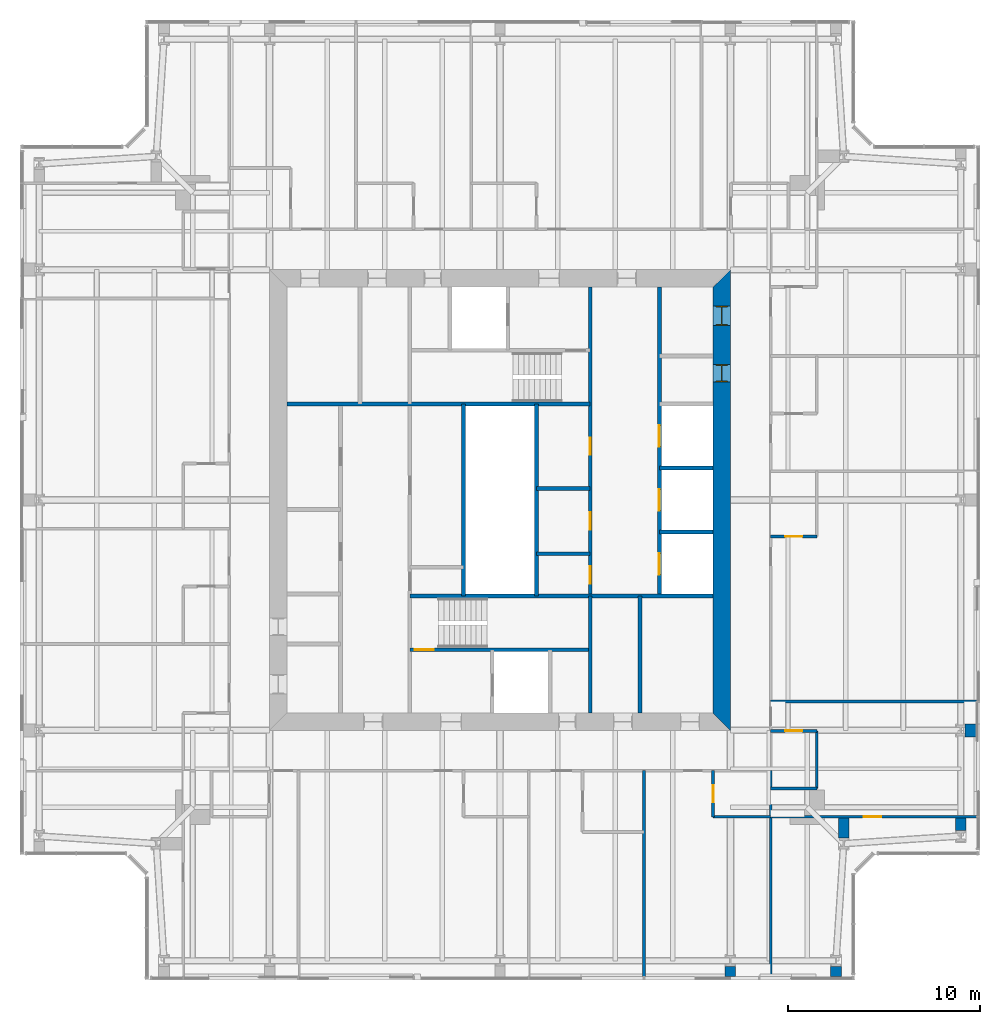
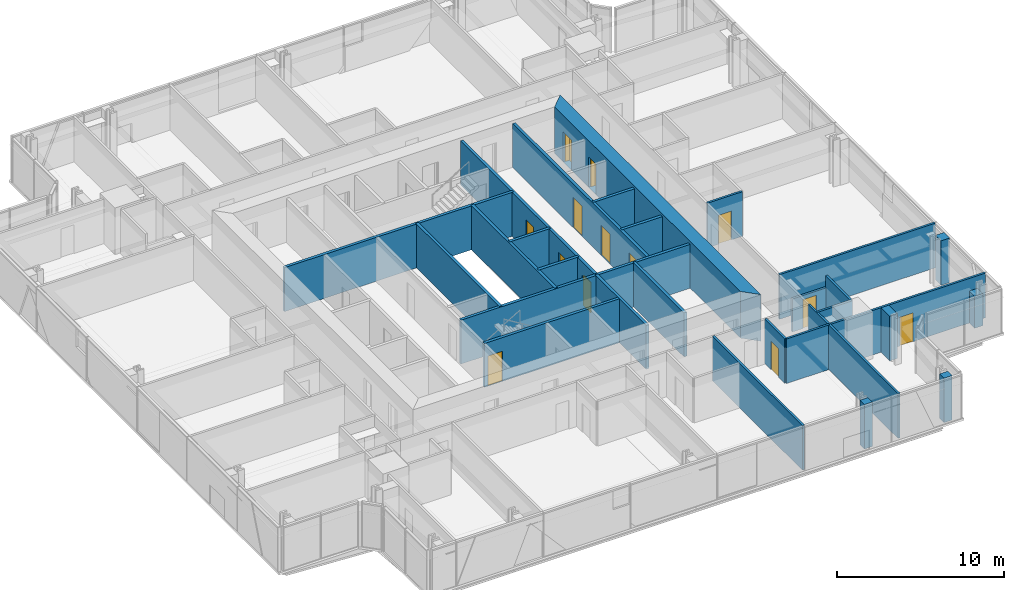
# One storey, part 13 of 18: 29 walls, 13 doors, 13 openings.
"""IFC4 building model written with IfcOpenShell, lengths in metres."""

from ifc_helpers import new_model, si_unit, direction, frame, frame_2d, origin, place, context, subcontext, project, spatial, polyline, rectangle, outline, extrude, material, layer, layer_set, type_object, element, fill, save


model = new_model("IFC4")

# Units and contexts
model_context = context("Model", 3, precision=1e-05, world=origin(), true_north=direction((0.0, 1.0)))
body_context = subcontext(model_context, "Body", "Model", "MODEL_VIEW")
ifc_project = project(units=[si_unit("LENGTHUNIT", "METRE"), si_unit("AREAUNIT", "SQUARE_METRE"), si_unit("VOLUMEUNIT", "CUBIC_METRE"), si_unit("PLANEANGLEUNIT", "RADIAN"), si_unit("MASSUNIT", "GRAM", prefix="KILO")], contexts=[model_context])

# Site, building, storey
site_placement = place(None, origin())
site = spatial("IfcSite", under=ifc_project, at=site_placement, CompositionType="ELEMENT")
building_placement = place(site_placement, origin())
building = spatial("IfcBuilding", under=site, at=building_placement, Name="Fenwick Lantern Interchange", CompositionType="ELEMENT")
storey_placement = place(building_placement, frame((0.0, 0.0, 262.800048828125)))
storey = spatial("IfcBuildingStorey", under=building, at=storey_placement, Name="L62", CompositionType="ELEMENT", Elevation=262.800048828125)

# Walls
ifc_material_1 = material(Name="Fire-rated gypsum board encasement on steel studs, 2 hour", Category="steel")
ifc_layer_1 = layer(ifc_material_1, 0.554931640625)
ifc_layer_set_1 = layer_set([ifc_layer_1], Name="COLUMN PIER 555")
wall_type_1 = type_object("IfcWallType", Name="COLUMN PIER 555", PredefinedType="PARTITIONING", material=ifc_layer_set_1)
for number, where, z_axis, x_axis, name in (
    (1, (37.0, 0.18994140625, 0.0), (0.0, 0.0, 1.0), (0.0, 1.0, 0.0), "L62/W/PIER/CS4"),
    (2, (42.5, 0.18994140625, 0.0), (0.0, 0.0, 1.0), (0.0, 1.0, 0.0), "L62/W/PIER/CS5"),
):
    element("IfcWall", number, at=place(storey_placement, frame(where, z_axis=z_axis, x_axis=x_axis)), inside=storey, type_object=wall_type_1, Name=name, PredefinedType="PARTITIONING", context=body_context, shape_type="SweptSolid", body=[
        extrude(rectangle(XDim=0.525634765625, YDim=0.554931640625, at=frame_2d((0.2626953125, 0.0))), origin(), (0.0, 0.0, 1.0), 3.25),
    ])
wall_1_placement = place(storey_placement, frame((42.89990234375, 8.425048828125, 0.0), z_axis=(0.0, 0.0, 1.0), x_axis=(0.0, -1.0, 0.0)))
element("IfcWall", 3, at=wall_1_placement, inside=storey, type_object=wall_type_1, Name="L62/W/PIER/CSR", PredefinedType="PARTITIONING", context=body_context, shape_type="SweptSolid", body=[
    extrude(rectangle(XDim=1.04052734375, YDim=0.554931640625, at=frame_2d((0.520263671875, 0.0))), origin(), (0.0, 0.0, 1.0), 3.25),
])
wall_2_placement = place(storey_placement, frame((49.0, 8.425048828125, 0.0), z_axis=(0.0, 0.0, 1.0), x_axis=(0.0, -1.0, 0.0)))
element("IfcWall", 4, at=wall_2_placement, inside=storey, type_object=wall_type_1, Name="L62/W/PIER/CE1", PredefinedType="PARTITIONING", context=body_context, shape_type="SweptSolid", body=[
    extrude(rectangle(XDim=0.640625, YDim=0.554931640625, at=frame_2d((0.3203125, 0.0))), origin(), (0.0, 0.0, 1.0), 2.338134765625),
])
ifc_layer_2 = layer(ifc_material_1, 0.6689453125)
ifc_layer_set_2 = layer_set([ifc_layer_2], Name="COLUMN PIER 669")
wall_type_2 = type_object("IfcWallType", Name="COLUMN PIER 669", PredefinedType="PARTITIONING", material=ifc_layer_set_2)
wall_3_placement = place(storey_placement, frame((49.81005859375, 13.0, 0.0), z_axis=(0.0, 0.0, 1.0), x_axis=(-1.0, 0.0, 0.0)))
element("IfcWall", 5, at=wall_3_placement, inside=storey, type_object=wall_type_2, Name="L62/W/PIER/CE2", PredefinedType="PARTITIONING", context=body_context, shape_type="SweptSolid", body=[
    extrude(rectangle(XDim=0.582763671875, YDim=0.6689453125, at=frame_2d((0.29150390625, 0.0))), origin(), (0.0, 0.0, 1.0), 3.25),
])
ifc_material_2 = material(Name="Concrete masonry ASTM C90 Grade N", Category="masonry")
ifc_layer_3 = layer(ifc_material_2, 0.199951171875)
ifc_layer_set_3 = layer_set([ifc_layer_3], Name="Concrete masonry ASTM C90 Grade N")
wall_type_3 = type_object("IfcWallType", Name="CORE PARTITION 200", PredefinedType="PARTITIONING", material=ifc_layer_set_3)
wall_4_placement = place(storey_placement, frame((23.10009765625, 20.0, 0.0), z_axis=(0.0, 0.0, 1.0), x_axis=(0.0, 1.0, 0.0)))
element("IfcWall", 6, at=wall_4_placement, inside=storey, type_object=wall_type_3, Name="L62/W/CORES/e3", PredefinedType="PARTITIONING", context=body_context, shape_type="SweptSolid", body=[
    extrude(rectangle(XDim=10.0, YDim=0.199951171875, at=frame_2d((5.0, 0.0))), origin(), (0.0, 0.0, 1.0), 3.199951171875),
])
wall_5_placement = place(storey_placement, frame((32.300048828125, 13.89990234375, 0.0), z_axis=(0.0, 0.0, 1.0), x_axis=(0.0, 1.0, 0.0)))
element("IfcWall", 7, at=wall_5_placement, inside=storey, type_object=wall_type_3, Name="L62/W/CORES/i2", PredefinedType="PARTITIONING", context=body_context, shape_type="SweptSolid", body=[
    extrude(rectangle(XDim=6.10009765625, YDim=0.199951171875, at=frame_2d((3.050048828125, 0.0))), origin(), (0.0, 0.0, 1.0), 3.199951171875),
])

# Wall, openings, doors
wall_6_placement = place(storey_placement, frame((33.300048828125, 36.10009765625, 0.0), z_axis=(0.0, 0.0, 1.0), x_axis=(0.0, -1.0, 0.0)))
wall_6 = element("IfcWall", 8, at=wall_6_placement, inside=storey, type_object=wall_type_3, Name="L62/W/COREN/a", PredefinedType="PARTITIONING", context=body_context, shape_type="SweptSolid", body=[
    extrude(rectangle(XDim=16.10009765625, YDim=0.199951171875, at=frame_2d((8.050048828125, 0.0))), origin(), (0.0, 0.0, 1.0), 3.199951171875),
])
opening_1_placement = place(wall_6_placement, frame((7.216552734375, 0.0, 0.0)))
opening_1 = element("IfcOpeningElement", 9, at=opening_1_placement, cuts=wall_6, Name="Opening LD-E1-1", PredefinedType="OPENING", context=body_context, shape_type="SweptSolid", body=[
    extrude(rectangle(XDim=1.10009765625, YDim=2.199951171875, at=frame_2d((0.550048828125, 1.10009765625))), frame((0.0, 0.10986328125, 0.0), z_axis=(0.0, -1.0, 0.0), x_axis=(1.0, 0.0, 0.0)), (0.0, 0.0, 1.0), 0.219970703125),
])
opening_2_placement = place(wall_6_placement, frame((10.550048828125, 0.0, 0.0)))
opening_2 = element("IfcOpeningElement", 10, at=opening_2_placement, cuts=wall_6, Name="Opening LD-E1-2", PredefinedType="OPENING", context=body_context, shape_type="SweptSolid", body=[
    extrude(rectangle(XDim=1.10009765625, YDim=2.199951171875, at=frame_2d((0.550048828125, 1.10009765625))), frame((0.0, 0.10986328125, 0.0), z_axis=(0.0, -1.0, 0.0), x_axis=(1.0, 0.0, 0.0)), (0.0, 0.0, 1.0), 0.219970703125),
])
opening_3_placement = place(wall_6_placement, frame((13.88330078125, 0.0, 0.0)))
opening_3 = element("IfcOpeningElement", 11, at=opening_3_placement, cuts=wall_6, Name="Opening LD-E1-3", PredefinedType="OPENING", context=body_context, shape_type="SweptSolid", body=[
    extrude(rectangle(XDim=1.10009765625, YDim=2.199951171875, at=frame_2d((0.550048828125, 1.10009765625))), frame((0.0, 0.10986328125, 0.0), z_axis=(0.0, -1.0, 0.0), x_axis=(1.0, 0.0, 0.0)), (0.0, 0.0, 1.0), 0.219970703125),
])
ifc_material_3 = material(Name="Steel door and frame", Category="steel")
door_type_1 = type_object("IfcDoorType", Name="LIFT LANDING DOOR 1100 X 2200", OperationType="DOUBLE_DOOR_SLIDING", PredefinedType="DOOR", material=ifc_material_3)
door_1_placement = place(opening_1_placement, origin())
door_1 = element("IfcDoor", 12, at=door_1_placement, inside=storey, type_object=door_type_1, Name="Lift landing door E1-1", OperationType="DOUBLE_DOOR_SLIDING", OverallHeight=2.199951171875, OverallWidth=1.10009765625, PredefinedType="DOOR", context=body_context, shape_type="SweptSolid", body=[
    extrude(rectangle(XDim=1.10009765625, YDim=2.199951171875, at=frame_2d((0.550048828125, 1.10009765625))), frame((0.0, 0.02490234375, 0.0), z_axis=(0.0, -1.0, 0.0), x_axis=(1.0, 0.0, 0.0)), (0.0, 0.0, 1.0), 0.050048828125),
])
fill(opening_1, door_1)
door_2_placement = place(opening_2_placement, origin())
door_2 = element("IfcDoor", 13, at=door_2_placement, inside=storey, type_object=door_type_1, Name="Lift landing door E1-2", OperationType="DOUBLE_DOOR_SLIDING", OverallHeight=2.199951171875, OverallWidth=1.10009765625, PredefinedType="DOOR", context=body_context, shape_type="SweptSolid", body=[
    extrude(rectangle(XDim=1.10009765625, YDim=2.199951171875, at=frame_2d((0.550048828125, 1.10009765625))), frame((0.0, 0.02490234375, 0.0), z_axis=(0.0, -1.0, 0.0), x_axis=(1.0, 0.0, 0.0)), (0.0, 0.0, 1.0), 0.050048828125),
])
fill(opening_2, door_2)
door_3_placement = place(opening_3_placement, origin())
door_3 = element("IfcDoor", 14, at=door_3_placement, inside=storey, type_object=door_type_1, Name="Lift landing door E1-3", OperationType="DOUBLE_DOOR_SLIDING", OverallHeight=2.199951171875, OverallWidth=1.10009765625, PredefinedType="DOOR", context=body_context, shape_type="SweptSolid", body=[
    extrude(rectangle(XDim=1.10009765625, YDim=2.199951171875, at=frame_2d((0.550048828125, 1.10009765625))), frame((0.0, 0.02490234375, 0.0), z_axis=(0.0, -1.0, 0.0), x_axis=(1.0, 0.0, 0.0)), (0.0, 0.0, 1.0), 0.050048828125),
])
fill(opening_3, door_3)

# Walls
for number, where, z_axis, x_axis, name in (
    (15, (36.10009765625, 26.666748046875, 0.0), (0.0, 0.0, 1.0), (-1.0, 0.0, 0.0), "L62/W/COREN/d1"),
    (16, (36.10009765625, 23.333251953125, 0.0), (0.0, 0.0, 1.0), (-1.0, 0.0, 0.0), "L62/W/COREN/d2"),
):
    element("IfcWall", number, at=place(storey_placement, frame(where, z_axis=z_axis, x_axis=x_axis)), inside=storey, type_object=wall_type_3, Name=name, PredefinedType="PARTITIONING", context=body_context, shape_type="SweptSolid", body=[
        extrude(rectangle(XDim=2.800048828125, YDim=0.199951171875, at=frame_2d((1.39990234375, 0.0))), origin(), (0.0, 0.0, 1.0), 3.199951171875),
    ])
wall_7_placement = place(storey_placement, frame((26.89990234375, 30.0, 0.0), z_axis=(0.0, 0.0, 1.0), x_axis=(0.0, -1.0, 0.0)))
element("IfcWall", 17, at=wall_7_placement, inside=storey, type_object=wall_type_3, Name="L62/W/COREN/e3", PredefinedType="PARTITIONING", context=body_context, shape_type="SweptSolid", body=[
    extrude(rectangle(XDim=10.0, YDim=0.199951171875, at=frame_2d((5.0, 0.0))), origin(), (0.0, 0.0, 1.0), 3.199951171875),
])
for number, where, z_axis, x_axis, name in (
    (18, (29.699951171875, 25.60009765625, 0.0), (0.0, 0.0, 1.0), (-1.0, 0.0, 0.0), "L62/W/COREN/q1"),
    (19, (29.699951171875, 22.199951171875, 0.0), (0.0, 0.0, 1.0), (-1.0, 0.0, 0.0), "L62/W/COREN/q2"),
):
    element("IfcWall", number, at=place(storey_placement, frame(where, z_axis=z_axis, x_axis=x_axis)), inside=storey, type_object=wall_type_3, Name=name, PredefinedType="PARTITIONING", context=body_context, shape_type="SweptSolid", body=[
        extrude(rectangle(XDim=2.800048828125, YDim=0.199951171875, at=frame_2d((1.39990234375, 0.0))), origin(), (0.0, 0.0, 1.0), 3.199951171875),
    ])

# Wall, openings, doors
ifc_material_4 = material(Name="Concrete f'c 70 MPa", Category="concrete")
ifc_layer_4 = layer(ifc_material_4, 0.89990234375)
ifc_layer_set_4 = layer_set([ifc_layer_4], Name="CORE WALL 900")
wall_type_4 = type_object("IfcWallType", Name="CORE WALL 900", PredefinedType="SHEAR", material=ifc_layer_set_4)
wall_8_placement = place(storey_placement, frame((36.550048828125, 13.89990234375, 0.0), z_axis=(0.0, 0.0, 1.0), x_axis=(0.0, 1.0, 0.0)))
wall_8 = element("IfcWall", 20, at=wall_8_placement, inside=storey, type_object=wall_type_4, Name="L62/CORE/E", PredefinedType="SHEAR", context=body_context, shape_type="SweptSolid", body=[
    extrude(outline(polyline([(-0.89990234375, -0.449951171875), (23.10009765625, -0.449951171875), (22.199951171875, 0.449951171875), (0.0, 0.449951171875), (-0.89990234375, -0.449951171875)])), origin(), (0.0, 0.0, 1.0), 3.39990234375),
])
opening_4_placement = place(wall_8_placement, frame((20.199951171875, 0.0, 0.0)))
opening_4 = element("IfcOpeningElement", 21, at=opening_4_placement, cuts=wall_8, Name="Opening L62-D019", PredefinedType="OPENING", context=body_context, shape_type="SweptSolid", body=[
    extrude(rectangle(XDim=1.0, YDim=2.199951171875, at=frame_2d((0.5, 1.10009765625))), frame((0.0, 0.4599609375, 0.0), z_axis=(0.0, -1.0, 0.0), x_axis=(1.0, 0.0, 0.0)), (0.0, 0.0, 1.0), 0.919921875),
])
opening_5_placement = place(wall_8_placement, frame((17.25, 0.0, 0.0)))
opening_5 = element("IfcOpeningElement", 22, at=opening_5_placement, cuts=wall_8, Name="Opening L62-D020", PredefinedType="OPENING", context=body_context, shape_type="SweptSolid", body=[
    extrude(rectangle(XDim=0.89990234375, YDim=2.199951171875, at=frame_2d((0.449951171875, 1.10009765625))), frame((0.0, 0.4599609375, 0.0), z_axis=(0.0, -1.0, 0.0), x_axis=(1.0, 0.0, 0.0)), (0.0, 0.0, 1.0), 0.919921875),
])
door_type_2 = type_object("IfcDoorType", Name="SERVICE DOOR 900 X 2200", OperationType="SINGLE_SWING_LEFT", PredefinedType="DOOR", material=ifc_material_3)
door_4_placement = place(opening_5_placement, origin())
door_4 = element("IfcDoor", 23, at=door_4_placement, inside=storey, type_object=door_type_2, Name="Service door", OperationType="SINGLE_SWING_RIGHT", OverallHeight=2.199951171875, OverallWidth=0.89990234375, PredefinedType="DOOR", context=body_context, shape_type="SweptSolid", body=[
    extrude(rectangle(XDim=0.89990234375, YDim=2.199951171875, at=frame_2d((0.449951171875, 1.10009765625))), frame((0.0, 0.02490234375, 0.0), z_axis=(0.0, -1.0, 0.0), x_axis=(1.0, 0.0, 0.0)), (0.0, 0.0, 1.0), 0.050048828125),
    extrude(outline(polyline([(0.0, 0.0), (0.0400390625, 0.0), (0.0400390625, 2.159912109375), (0.85986328125, 2.159912109375), (0.85986328125, 0.0), (0.89990234375, 0.0), (0.89990234375, 2.199951171875), (0.0, 2.199951171875), (0.0, 0.0)])), frame((0.0, 0.300048828125, 0.0), z_axis=(0.0, -1.0, 0.0), x_axis=(1.0, 0.0, 0.0)), (0.0, 0.0, 1.0), 0.60009765625),
])
fill(opening_5, door_4)
ifc_material_5 = material(Name="Hardwood door and steel frame", Category="steel")
door_type_3 = type_object("IfcDoorType", Name="WC DOOR 1000 X 2200", OperationType="SINGLE_SWING_LEFT", PredefinedType="DOOR", material=ifc_material_5)
door_5_placement = place(opening_4_placement, origin())
door_5 = element("IfcDoor", 24, at=door_5_placement, inside=storey, type_object=door_type_3, Name="Wc door", OperationType="SINGLE_SWING_RIGHT", OverallHeight=2.199951171875, OverallWidth=1.0, PredefinedType="DOOR", context=body_context, shape_type="SweptSolid", body=[
    extrude(rectangle(XDim=1.0, YDim=2.199951171875, at=frame_2d((0.5, 1.10009765625))), frame((0.0, 0.02490234375, 0.0), z_axis=(0.0, -1.0, 0.0), x_axis=(1.0, 0.0, 0.0)), (0.0, 0.0, 1.0), 0.050048828125),
    extrude(outline(polyline([(0.0, 0.0), (0.0400390625, 0.0), (0.0400390625, 2.159912109375), (0.9599609375, 2.159912109375), (0.9599609375, 0.0), (1.0, 0.0), (1.0, 2.199951171875), (0.0, 2.199951171875), (0.0, 0.0)])), frame((0.0, 0.300048828125, 0.0), z_axis=(0.0, -1.0, 0.0), x_axis=(1.0, 0.0, 0.0)), (0.0, 0.0, 1.0), 0.60009765625),
])
fill(opening_4, door_5)

# Wall
ifc_material_6 = material(Name="Gypsum board on steel studs, moisture resistant", Category="steel")
ifc_layer_5 = layer(ifc_material_6, 0.14990234375)
ifc_layer_set_5 = layer_set([ifc_layer_5], Name="EN-SUITE WALL 150")
wall_type_5 = type_object("IfcWallType", Name="EN-SUITE WALL 150", PredefinedType="PARTITIONING", material=ifc_layer_set_5)
wall_9_placement = place(storey_placement, frame((36.10009765625, 8.5, 0.0), z_axis=(0.0, 0.0, 1.0), x_axis=(1.0, 0.0, 0.0)))
element("IfcWall", 25, at=wall_9_placement, inside=storey, type_object=wall_type_5, Name="L62/W/HOTEL/S/U4BW", PredefinedType="PARTITIONING", context=body_context, shape_type="SweptSolid", body=[
    extrude(rectangle(XDim=3.0, YDim=0.14990234375, at=frame_2d((1.5, 0.0))), origin(), (0.0, 0.0, 1.0), 3.25),
])

# Wall, opening, door
wall_10_placement = place(storey_placement, frame((36.10009765625, 8.5, 0.0), z_axis=(0.0, 0.0, 1.0), x_axis=(0.0, 1.0, 0.0)))
wall_10 = element("IfcWall", 26, at=wall_10_placement, inside=storey, type_object=wall_type_5, Name="L62/W/HOTEL/S/U4BX", PredefinedType="PARTITIONING", context=body_context, shape_type="SweptSolid", body=[
    extrude(rectangle(XDim=2.39990234375, YDim=0.14990234375, at=frame_2d((1.199951171875, 0.0))), origin(), (0.0, 0.0, 1.0), 3.25),
])
opening_6_placement = place(wall_10_placement, frame((0.75, 0.0, 0.0)))
opening_6 = element("IfcOpeningElement", 27, at=opening_6_placement, cuts=wall_10, Name="Opening L62-D031", PredefinedType="OPENING", context=body_context, shape_type="SweptSolid", body=[
    extrude(rectangle(XDim=0.89990234375, YDim=2.10009765625, at=frame_2d((0.449951171875, 1.050048828125))), frame((0.0, 0.0849609375, 0.0), z_axis=(0.0, -1.0, 0.0), x_axis=(1.0, 0.0, 0.0)), (0.0, 0.0, 1.0), 0.169921875),
])
door_type_4 = type_object("IfcDoorType", Name="EN-SUITE DOOR 900 X 2100", OperationType="SINGLE_SWING_LEFT", PredefinedType="DOOR", material=ifc_material_5)
door_6_placement = place(opening_6_placement, frame((0.89990234375, 0.0, 0.0), z_axis=(0.0, 0.0, 1.0), x_axis=(-1.0, 0.0, 0.0)))
door_6 = element("IfcDoor", 28, at=door_6_placement, inside=storey, type_object=door_type_4, Name="En-suite door", OperationType="SINGLE_SWING_RIGHT", OverallHeight=2.10009765625, OverallWidth=0.89990234375, PredefinedType="DOOR", context=body_context, shape_type="SweptSolid", body=[
    extrude(rectangle(XDim=0.89990234375, YDim=2.10009765625, at=frame_2d((0.449951171875, 1.050048828125))), frame((0.0, 0.02490234375, 0.0), z_axis=(0.0, -1.0, 0.0), x_axis=(1.0, 0.0, 0.0)), (0.0, 0.0, 1.0), 0.050048828125),
])
fill(opening_6, door_6)

# Wall
wall_11_placement = place(storey_placement, frame((41.5, 9.97509765625, 0.0), z_axis=(0.0, 0.0, 1.0), x_axis=(0.0, 1.0, 0.0)))
element("IfcWall", 29, at=wall_11_placement, inside=storey, type_object=wall_type_5, Name="L62/W/HOTEL/E/U1BW", PredefinedType="PARTITIONING", context=body_context, shape_type="SweptSolid", body=[
    extrude(rectangle(XDim=3.0, YDim=0.14990234375, at=frame_2d((1.5, 0.0))), origin(), (0.0, 0.0, 1.0), 3.25),
])

# Wall, opening, door
wall_12_placement = place(storey_placement, frame((41.5, 12.97509765625, 0.0), z_axis=(0.0, 0.0, 1.0), x_axis=(-1.0, 0.0, 0.0)))
wall_12 = element("IfcWall", 30, at=wall_12_placement, inside=storey, type_object=wall_type_5, Name="L62/W/HOTEL/E/U1BX", PredefinedType="PARTITIONING", context=body_context, shape_type="SweptSolid", body=[
    extrude(rectangle(XDim=2.39990234375, YDim=0.14990234375, at=frame_2d((1.199951171875, 0.0))), origin(), (0.0, 0.0, 1.0), 2.404052734375),
])
opening_7_placement = place(wall_12_placement, frame((0.75, 0.0, 0.0)))
opening_7 = element("IfcOpeningElement", 31, at=opening_7_placement, cuts=wall_12, Name="Opening L62-D033", PredefinedType="OPENING", context=body_context, shape_type="SweptSolid", body=[
    extrude(rectangle(XDim=0.89990234375, YDim=2.10009765625, at=frame_2d((0.449951171875, 1.050048828125))), frame((0.0, 0.0849609375, 0.0), z_axis=(0.0, -1.0, 0.0), x_axis=(1.0, 0.0, 0.0)), (0.0, 0.0, 1.0), 0.169921875),
])
door_7_placement = place(opening_7_placement, origin())
door_7 = element("IfcDoor", 32, at=door_7_placement, inside=storey, type_object=door_type_4, Name="En-suite door", OperationType="SINGLE_SWING_LEFT", OverallHeight=2.10009765625, OverallWidth=0.89990234375, PredefinedType="DOOR", context=body_context, shape_type="SweptSolid", body=[
    extrude(rectangle(XDim=0.89990234375, YDim=2.10009765625, at=frame_2d((0.449951171875, 1.050048828125))), frame((0.0, 0.02490234375, 0.0), z_axis=(0.0, -1.0, 0.0), x_axis=(1.0, 0.0, 0.0)), (0.0, 0.0, 1.0), 0.050048828125),
])
fill(opening_7, door_7)

# Wall
wall_13_placement = place(storey_placement, frame((41.5, 9.97509765625, 0.0), z_axis=(0.0, 0.0, 1.0), x_axis=(-1.0, 0.0, 0.0)))
element("IfcWall", 33, at=wall_13_placement, inside=storey, type_object=wall_type_5, Name="L62/W/HOTEL/E/U1BV", PredefinedType="PARTITIONING", context=body_context, shape_type="SweptSolid", body=[
    extrude(rectangle(XDim=2.39990234375, YDim=0.14990234375, at=frame_2d((1.199951171875, 0.0))), origin(), (0.0, 0.0, 1.0), 3.25),
])

# Wall, opening, door
wall_14_placement = place(storey_placement, frame((41.5, 23.10009765625, 0.0), z_axis=(0.0, 0.0, 1.0), x_axis=(-1.0, 0.0, 0.0)))
wall_14 = element("IfcWall", 34, at=wall_14_placement, inside=storey, type_object=wall_type_5, Name="L62/W/HOTEL/E/U2BX", PredefinedType="PARTITIONING", context=body_context, shape_type="SweptSolid", body=[
    extrude(rectangle(XDim=2.39990234375, YDim=0.14990234375, at=frame_2d((1.199951171875, 0.0))), origin(), (0.0, 0.0, 1.0), 3.25),
])
opening_8_placement = place(wall_14_placement, frame((0.75, 0.0, 0.0)))
opening_8 = element("IfcOpeningElement", 35, at=opening_8_placement, cuts=wall_14, Name="Opening L62-D036", PredefinedType="OPENING", context=body_context, shape_type="SweptSolid", body=[
    extrude(rectangle(XDim=0.89990234375, YDim=2.10009765625, at=frame_2d((0.449951171875, 1.050048828125))), frame((0.0, 0.0849609375, 0.0), z_axis=(0.0, -1.0, 0.0), x_axis=(1.0, 0.0, 0.0)), (0.0, 0.0, 1.0), 0.169921875),
])
door_8_placement = place(opening_8_placement, frame((0.89990234375, 0.0, 0.0), z_axis=(0.0, 0.0, 1.0), x_axis=(-1.0, 0.0, 0.0)))
door_8 = element("IfcDoor", 36, at=door_8_placement, inside=storey, type_object=door_type_4, Name="En-suite door", OperationType="SINGLE_SWING_RIGHT", OverallHeight=2.10009765625, OverallWidth=0.89990234375, PredefinedType="DOOR", context=body_context, shape_type="SweptSolid", body=[
    extrude(rectangle(XDim=0.89990234375, YDim=2.10009765625, at=frame_2d((0.449951171875, 1.050048828125))), frame((0.0, 0.02490234375, 0.0), z_axis=(0.0, -1.0, 0.0), x_axis=(1.0, 0.0, 0.0)), (0.0, 0.0, 1.0), 0.050048828125),
])
fill(opening_8, door_8)

# Walls
ifc_material_7 = material(Name="Gypsum board on steel studs, 1 hour acoustic", Category="steel")
ifc_layer_6 = layer(ifc_material_7, 0.14990234375)
ifc_layer_set_6 = layer_set([ifc_layer_6], Name="PARTY WALL 150")
wall_type_6 = type_object("IfcWallType", Name="PARTY WALL 150", PredefinedType="PARTITIONING", material=ifc_layer_set_6)
for number, where, z_axis, x_axis, name in (
    (37, (32.5, 0.14990234375, 0.0), (0.0, 0.0, 1.0), (0.0, 1.0, 0.0), "L62/W/HOTEL/S/U4PW"),
    (38, (39.10009765625, 0.14990234375, 0.0), (0.0, 0.0, 1.0), (0.0, 1.0, 0.0), "L62/W/HOTEL/E/SW3"),
    (39, (49.85009765625, 14.5, 0.0), (0.0, 0.0, 1.0), (-1.0, 0.0, 0.0), "L62/W/HOTEL/E/U2PW"),
):
    element("IfcWall", number, at=place(storey_placement, frame(where, z_axis=z_axis, x_axis=x_axis)), inside=storey, type_object=wall_type_6, Name=name, PredefinedType="PARTITIONING", context=body_context, shape_type="SweptSolid", body=[
        extrude(rectangle(XDim=10.75, YDim=0.14990234375, at=frame_2d((5.375, 0.0))), origin(), (0.0, 0.0, 1.0), 3.25),
    ])

# Wall, opening, door
ifc_material_8 = material(Name="Concrete f'c 45 MPa", Category="concrete")
ifc_layer_7 = layer(ifc_material_8, 0.199951171875)
ifc_layer_set_7 = layer_set([ifc_layer_7], Name="STAIR CORE WALL 200")
wall_type_7 = type_object("IfcWallType", Name="STAIR CORE WALL 200", PredefinedType="SOLIDWALL", material=ifc_layer_set_7)
wall_15_placement = place(storey_placement, frame((20.300048828125, 17.199951171875, 0.0), z_axis=(0.0, 0.0, 1.0), x_axis=(1.0, 0.0, 0.0)))
wall_15 = element("IfcWall", 40, at=wall_15_placement, inside=storey, type_object=wall_type_7, Name="L62/W/CORES/g1", PredefinedType="SOLIDWALL", context=body_context, shape_type="SweptSolid", body=[
    extrude(rectangle(XDim=9.39990234375, YDim=0.199951171875, at=frame_2d((4.699951171875, 0.0))), origin(), (0.0, 0.0, 1.0), 3.199951171875),
])
opening_9_placement = place(wall_15_placement, frame((0.25, 0.0, 0.0)))
opening_9 = element("IfcOpeningElement", 41, at=opening_9_placement, cuts=wall_15, Name="Opening L62-D003", PredefinedType="OPENING", context=body_context, shape_type="SweptSolid", body=[
    extrude(rectangle(XDim=1.0, YDim=2.199951171875, at=frame_2d((0.5, 1.10009765625))), frame((0.0, 0.10986328125, 0.0), z_axis=(0.0, -1.0, 0.0), x_axis=(1.0, 0.0, 0.0)), (0.0, 0.0, 1.0), 0.219970703125),
])
door_type_5 = type_object("IfcDoorType", Name="STAIR DOOR 1000 X 2200", OperationType="SINGLE_SWING_LEFT", PredefinedType="DOOR", material=ifc_material_3)
door_9_placement = place(opening_9_placement, origin())
door_9 = element("IfcDoor", 42, at=door_9_placement, inside=storey, type_object=door_type_5, Name="Stair door", OperationType="SINGLE_SWING_LEFT", OverallHeight=2.199951171875, OverallWidth=1.0, PredefinedType="DOOR", context=body_context, shape_type="SweptSolid", body=[
    extrude(rectangle(XDim=1.0, YDim=2.199951171875, at=frame_2d((0.5, 1.10009765625))), frame((0.0, 0.02490234375, 0.0), z_axis=(0.0, -1.0, 0.0), x_axis=(1.0, 0.0, 0.0)), (0.0, 0.0, 1.0), 0.050048828125),
])
fill(opening_9, door_9)

# Walls
wall_16_placement = place(storey_placement, frame((20.300048828125, 20.0, 0.0), z_axis=(0.0, 0.0, 1.0), x_axis=(1.0, 0.0, 0.0)))
element("IfcWall", 43, at=wall_16_placement, inside=storey, type_object=wall_type_7, Name="L62/W/CORES/g2", PredefinedType="SOLIDWALL", context=body_context, shape_type="SweptSolid", body=[
    extrude(rectangle(XDim=15.800048828125, YDim=0.199951171875, at=frame_2d((7.89990234375, 0.0))), origin(), (0.0, 0.0, 1.0), 3.199951171875),
])
wall_17_placement = place(storey_placement, frame((29.699951171875, 13.89990234375, 0.0), z_axis=(0.0, 0.0, 1.0), x_axis=(0.0, 1.0, 0.0)))
element("IfcWall", 44, at=wall_17_placement, inside=storey, type_object=wall_type_7, Name="L62/W/CORES/i1", PredefinedType="SOLIDWALL", context=body_context, shape_type="SweptSolid", body=[
    extrude(rectangle(XDim=6.10009765625, YDim=0.199951171875, at=frame_2d((3.050048828125, 0.0))), origin(), (0.0, 0.0, 1.0), 3.199951171875),
])

# Wall, openings, doors
wall_18_placement = place(storey_placement, frame((29.699951171875, 36.10009765625, 0.0), z_axis=(0.0, 0.0, 1.0), x_axis=(0.0, -1.0, 0.0)))
wall_18 = element("IfcWall", 45, at=wall_18_placement, inside=storey, type_object=wall_type_7, Name="L62/W/COREN/b", PredefinedType="SOLIDWALL", context=body_context, shape_type="SweptSolid", body=[
    extrude(rectangle(XDim=16.10009765625, YDim=0.199951171875, at=frame_2d((8.050048828125, 0.0))), origin(), (0.0, 0.0, 1.0), 3.199951171875),
])
opening_10_placement = place(wall_18_placement, frame((7.85009765625, 0.0, 0.0)))
opening_10 = element("IfcOpeningElement", 46, at=opening_10_placement, cuts=wall_18, Name="Opening L62-D021", PredefinedType="OPENING", context=body_context, shape_type="SweptSolid", body=[
    extrude(rectangle(XDim=0.89990234375, YDim=2.199951171875, at=frame_2d((0.449951171875, 1.10009765625))), frame((0.0, 0.10986328125, 0.0), z_axis=(0.0, -1.0, 0.0), x_axis=(1.0, 0.0, 0.0)), (0.0, 0.0, 1.0), 0.219970703125),
])
opening_11_placement = place(wall_18_placement, frame((11.75, 0.0, 0.0)))
opening_11 = element("IfcOpeningElement", 47, at=opening_11_placement, cuts=wall_18, Name="Opening L62-D022", PredefinedType="OPENING", context=body_context, shape_type="SweptSolid", body=[
    extrude(rectangle(XDim=0.89990234375, YDim=2.199951171875, at=frame_2d((0.449951171875, 1.10009765625))), frame((0.0, 0.10986328125, 0.0), z_axis=(0.0, -1.0, 0.0), x_axis=(1.0, 0.0, 0.0)), (0.0, 0.0, 1.0), 0.219970703125),
])
opening_12_placement = place(wall_18_placement, frame((14.550048828125, 0.0, 0.0)))
opening_12 = element("IfcOpeningElement", 48, at=opening_12_placement, cuts=wall_18, Name="Opening L62-D023", PredefinedType="OPENING", context=body_context, shape_type="SweptSolid", body=[
    extrude(rectangle(XDim=0.89990234375, YDim=2.199951171875, at=frame_2d((0.449951171875, 1.10009765625))), frame((0.0, 0.10986328125, 0.0), z_axis=(0.0, -1.0, 0.0), x_axis=(1.0, 0.0, 0.0)), (0.0, 0.0, 1.0), 0.219970703125),
])
door_10_placement = place(opening_10_placement, frame((0.89990234375, 0.0, 0.0), z_axis=(0.0, 0.0, 1.0), x_axis=(-1.0, 0.0, 0.0)))
door_10 = element("IfcDoor", 49, at=door_10_placement, inside=storey, type_object=door_type_2, Name="Service door", OperationType="SINGLE_SWING_RIGHT", OverallHeight=2.199951171875, OverallWidth=0.89990234375, PredefinedType="DOOR", context=body_context, shape_type="SweptSolid", body=[
    extrude(rectangle(XDim=0.89990234375, YDim=2.199951171875, at=frame_2d((0.449951171875, 1.10009765625))), frame((0.0, 0.02490234375, 0.0), z_axis=(0.0, -1.0, 0.0), x_axis=(1.0, 0.0, 0.0)), (0.0, 0.0, 1.0), 0.050048828125),
])
fill(opening_10, door_10)
door_11_placement = place(opening_11_placement, frame((0.89990234375, 0.0, 0.0), z_axis=(0.0, 0.0, 1.0), x_axis=(-1.0, 0.0, 0.0)))
door_11 = element("IfcDoor", 50, at=door_11_placement, inside=storey, type_object=door_type_2, Name="Service door", OperationType="SINGLE_SWING_RIGHT", OverallHeight=2.199951171875, OverallWidth=0.89990234375, PredefinedType="DOOR", context=body_context, shape_type="SweptSolid", body=[
    extrude(rectangle(XDim=0.89990234375, YDim=2.199951171875, at=frame_2d((0.449951171875, 1.10009765625))), frame((0.0, 0.02490234375, 0.0), z_axis=(0.0, -1.0, 0.0), x_axis=(1.0, 0.0, 0.0)), (0.0, 0.0, 1.0), 0.050048828125),
])
fill(opening_11, door_11)
door_12_placement = place(opening_12_placement, frame((0.89990234375, 0.0, 0.0), z_axis=(0.0, 0.0, 1.0), x_axis=(-1.0, 0.0, 0.0)))
door_12 = element("IfcDoor", 51, at=door_12_placement, inside=storey, type_object=door_type_2, Name="Service door", OperationType="SINGLE_SWING_RIGHT", OverallHeight=2.199951171875, OverallWidth=0.89990234375, PredefinedType="DOOR", context=body_context, shape_type="SweptSolid", body=[
    extrude(rectangle(XDim=0.89990234375, YDim=2.199951171875, at=frame_2d((0.449951171875, 1.10009765625))), frame((0.0, 0.02490234375, 0.0), z_axis=(0.0, -1.0, 0.0), x_axis=(1.0, 0.0, 0.0)), (0.0, 0.0, 1.0), 0.050048828125),
])
fill(opening_12, door_12)

# Wall
wall_19_placement = place(storey_placement, frame((29.699951171875, 30.0, 0.0), z_axis=(0.0, 0.0, 1.0), x_axis=(-1.0, 0.0, 0.0)))
element("IfcWall", 52, at=wall_19_placement, inside=storey, type_object=wall_type_7, Name="L62/W/COREN/g2", PredefinedType="SOLIDWALL", context=body_context, shape_type="SweptSolid", body=[
    extrude(rectangle(XDim=15.800048828125, YDim=0.199951171875, at=frame_2d((7.89990234375, 0.0))), origin(), (0.0, 0.0, 1.0), 3.199951171875),
])

# Wall, opening, door
ifc_material_9 = material(Name="Gypsum board on steel studs, acoustic", Category="steel")
ifc_layer_8 = layer(ifc_material_9, 0.14990234375)
ifc_layer_set_8 = layer_set([ifc_layer_8], Name="SUITE PARTITION 150")
wall_type_8 = type_object("IfcWallType", Name="SUITE PARTITION 150", PredefinedType="PARTITIONING", material=ifc_layer_set_8)
wall_20_placement = place(storey_placement, frame((49.85009765625, 8.5, 0.0), z_axis=(0.0, 0.0, 1.0), x_axis=(-1.0, 0.0, 0.0)))
wall_20 = element("IfcWall", 53, at=wall_20_placement, inside=storey, type_object=wall_type_8, Name="L62/W/HOTEL/E/U1P", PredefinedType="PARTITIONING", context=body_context, shape_type="SweptSolid", body=[
    extrude(rectangle(XDim=10.75, YDim=0.14990234375, at=frame_2d((5.375, 0.0))), origin(), (0.0, 0.0, 1.0), 3.25),
])
opening_13_placement = place(wall_20_placement, frame((5.0, 0.0, 0.0)))
opening_13 = element("IfcOpeningElement", 54, at=opening_13_placement, cuts=wall_20, Name="Opening L62-D034", PredefinedType="OPENING", context=body_context, shape_type="SweptSolid", body=[
    extrude(rectangle(XDim=0.89990234375, YDim=2.10009765625, at=frame_2d((0.449951171875, 1.050048828125))), frame((0.0, 0.0849609375, 0.0), z_axis=(0.0, -1.0, 0.0), x_axis=(1.0, 0.0, 0.0)), (0.0, 0.0, 1.0), 0.169921875),
])
door_type_6 = type_object("IfcDoorType", Name="SUITE INTERNAL DOOR 900 X 2100", OperationType="SINGLE_SWING_LEFT", PredefinedType="DOOR", material=ifc_material_5)
door_13_placement = place(opening_13_placement, origin())
door_13 = element("IfcDoor", 55, at=door_13_placement, inside=storey, type_object=door_type_6, Name="Suite internal door", OperationType="SINGLE_SWING_RIGHT", OverallHeight=2.10009765625, OverallWidth=0.89990234375, PredefinedType="DOOR", context=body_context, shape_type="SweptSolid", body=[
    extrude(rectangle(XDim=0.89990234375, YDim=2.10009765625, at=frame_2d((0.449951171875, 1.050048828125))), frame((0.0, 0.02490234375, 0.0), z_axis=(0.0, -1.0, 0.0), x_axis=(1.0, 0.0, 0.0)), (0.0, 0.0, 1.0), 0.050048828125),
])
fill(opening_13, door_13)

save(model, "model.ifc")
